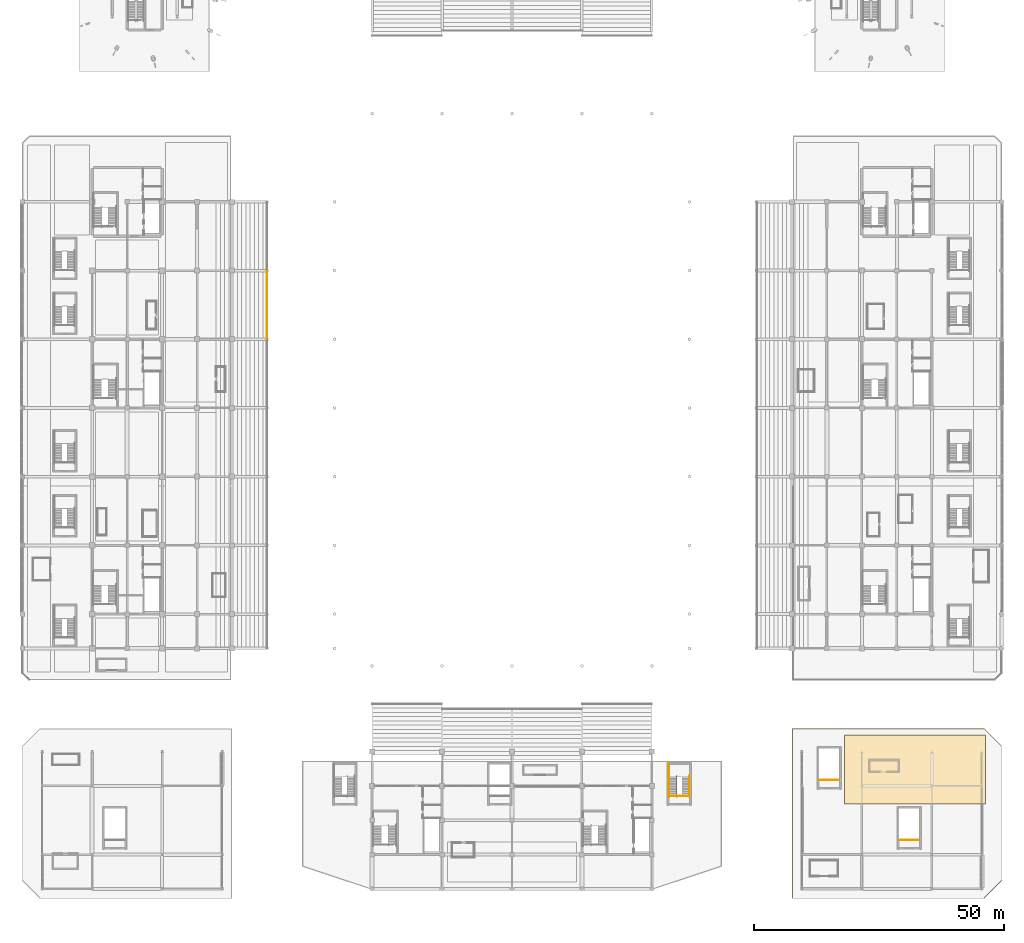
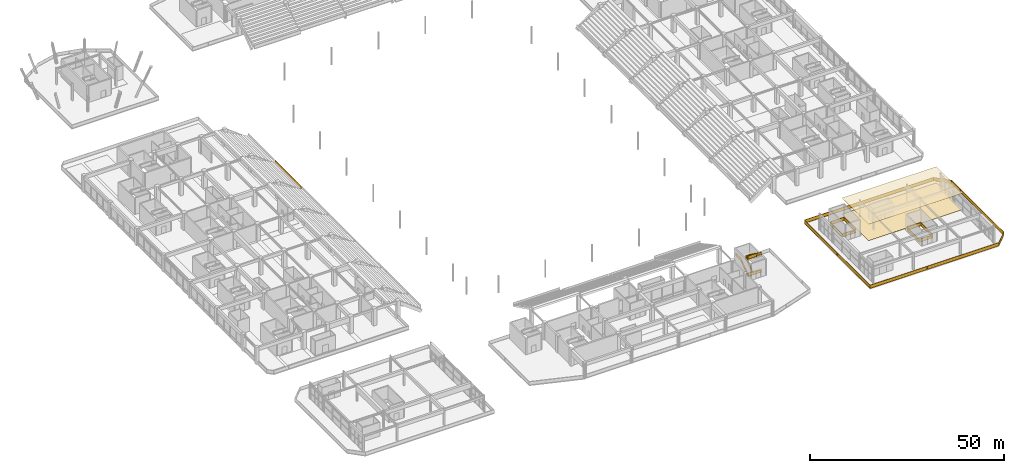
# One storey, part 109 of 117: 10 railings, 2 coverings.
"""IFC4 building model written with IfcOpenShell, lengths in metres."""

from ifc_helpers import new_model, si_unit, direction, frame, origin, origin_2d, place, context, subcontext, project, spatial, polyline, rectangle, outline, extrude, material, layer, layer_set, type_object, element, save


model = new_model("IFC4")

# Units and contexts
model_context = context("Model", 3, precision=1e-05, world=origin(), true_north=direction((0.0, 1.0)))
body_context = subcontext(model_context, "Body", "Model", "MODEL_VIEW")
ifc_project = project(units=[si_unit("LENGTHUNIT", "METRE"), si_unit("AREAUNIT", "SQUARE_METRE"), si_unit("VOLUMEUNIT", "CUBIC_METRE"), si_unit("PLANEANGLEUNIT", "RADIAN"), si_unit("MASSUNIT", "GRAM", prefix="KILO")], contexts=[model_context])

# Site, building, storey
site_placement = place(None, origin())
site = spatial("IfcSite", under=ifc_project, at=site_placement, CompositionType="ELEMENT")
building_placement = place(site_placement, origin())
building = spatial("IfcBuilding", under=site, at=building_placement, Name="Linyun Crest Stadium", CompositionType="ELEMENT")
storey_placement = place(building_placement, frame((0.0, 0.0, 6.0)))
storey = spatial("IfcBuildingStorey", under=building, at=storey_placement, Name="L02", CompositionType="ELEMENT", Elevation=6.0)

# Coverings
ifc_material_1 = material(Name="Perforated acoustic mineral-fibre ceiling")
ifc_layer_1 = layer(ifc_material_1, 0.02490234375)
ifc_layer_set_1 = layer_set([ifc_layer_1], Name="Perforated acoustic mineral-fibre ceiling")
covering_type_1 = type_object("IfcCoveringType", Name="CLG01", PredefinedType="CEILING", material=ifc_layer_set_1)
covering_1_placement = place(storey_placement, frame((0.0, 0.0, 5.125)))
element("IfcCovering", 1, at=covering_1_placement, inside=storey, type_object=covering_type_1, Name="Suspended acoustic ceiling CLG01 29", PredefinedType="CEILING", context=body_context, shape_type="SweptSolid", body=[
    extrude(outline(polyline([(66.5, -77.10009765625), (94.699951171875, -77.10009765625), (94.699951171875, -63.300048828125), (66.5, -63.300048828125), (66.5, -77.10009765625)])), origin(), (0.0, 0.0, 1.0), 0.02490234375),
])
ifc_material_2 = material(Name="Terrazzo concourse and hospitality floor finish")
ifc_layer_2 = layer(ifc_material_2, 0.02197265625)
ifc_layer_set_2 = layer_set([ifc_layer_2], Name="Terrazzo concourse and hospitality floor finish")
covering_type_2 = type_object("IfcCoveringType", Name="FLR02", PredefinedType="FLOORING", material=ifc_layer_set_2)
covering_2_placement = place(storey_placement, origin())
element("IfcCovering", 2, at=covering_2_placement, inside=storey, type_object=covering_type_2, Name="Terrazzo flooring FLR02 28", PredefinedType="FLOORING", context=body_context, shape_type="SweptSolid", body=[
    extrude(outline(polyline([(66.5, -77.10009765625), (94.699951171875, -77.10009765625), (94.699951171875, -63.300048828125), (66.5, -63.300048828125), (66.5, -77.10009765625)])), origin(), (0.0, 0.0, 1.0), 0.02197265625),
])

# Railings
ifc_material_3 = material(Name="Galvanized and powder-coated steel bowl safety barrier", Category="steel")
railing_type_1 = type_object("IfcRailingType", Name="GR02", PredefinedType="GUARDRAIL", material=ifc_material_3)
railing_1_placement = place(storey_placement, frame((-49.0, 15.955078125, 0.199951171875)))
element("IfcRailing", 3, at=railing_1_placement, inside=storey, type_object=railing_type_1, Name="Bowl front safety guard GR02 42", PredefinedType="GUARDRAIL", context=body_context, shape_type="SweptSolid", body=[
    extrude(rectangle(XDim=0.06005859375, YDim=0.06005859375, at=origin_2d()), frame((0.0, 0.0, 1.090087890625), z_axis=(0.0, 1.0, 0.0), x_axis=(-1.0, 0.0, 0.0)), (0.0, 0.0, 1.0), 13.58984375),
    extrude(rectangle(XDim=0.030029296875, YDim=1.0, at=origin_2d()), frame((0.0, 0.0, 0.56005859375), z_axis=(0.0, 1.0, 0.0), x_axis=(-1.0, 0.0, 0.0)), (0.0, 0.0, 1.0), 13.58984375),
    extrude(rectangle(XDim=0.06005859375, YDim=0.06005859375, at=origin_2d()), frame((0.0, 0.0, 0.030029296875), z_axis=(0.0, 1.0, 0.0), x_axis=(-1.0, 0.0, 0.0)), (0.0, 0.0, 1.0), 13.58984375),
    extrude(rectangle(XDim=0.050048828125, YDim=0.050048828125, at=origin_2d()), origin(), (0.0, 0.0, 1.0), 1.1201171875),
    extrude(rectangle(XDim=0.050048828125, YDim=0.050048828125, at=origin_2d()), frame((0.0, 2.264892578125, 0.0)), (0.0, 0.0, 1.0), 1.1201171875),
    extrude(rectangle(XDim=0.050048828125, YDim=0.050048828125, at=origin_2d()), frame((0.0, 4.530029296875, 0.0)), (0.0, 0.0, 1.0), 1.1201171875),
    extrude(rectangle(XDim=0.050048828125, YDim=0.050048828125, at=origin_2d()), frame((0.0, 6.794921875, 0.0)), (0.0, 0.0, 1.0), 1.1201171875),
    extrude(rectangle(XDim=0.050048828125, YDim=0.050048828125, at=origin_2d()), frame((0.0, 9.059814453125, 0.0)), (0.0, 0.0, 1.0), 1.1201171875),
    extrude(rectangle(XDim=0.050048828125, YDim=0.050048828125, at=origin_2d()), frame((0.0, 11.324951171875, 0.0)), (0.0, 0.0, 1.0), 1.1201171875),
    extrude(rectangle(XDim=0.050048828125, YDim=0.050048828125, at=origin_2d()), frame((0.0, 13.58984375, 0.0)), (0.0, 0.0, 1.0), 1.1201171875),
])
railing_2_placement = place(storey_placement, frame((31.5400390625, -75.510009765625, 0.0)))
element("IfcRailing", 4, at=railing_2_placement, inside=storey, type_object=railing_type_1, Name="Slab edge balustrade GR02 254", PredefinedType="GUARDRAIL", context=body_context, shape_type="SweptSolid", body=[
    extrude(rectangle(XDim=0.06005859375, YDim=0.06005859375, at=origin_2d()), frame((0.0, 0.0, 1.090087890625), z_axis=(1.0, 0.0, 0.0), x_axis=(0.0, 1.0, 0.0)), (0.0, 0.0, 1.0), 3.919921875),
    extrude(rectangle(XDim=0.030029296875, YDim=1.0, at=origin_2d()), frame((0.0, 0.0, 0.56005859375), z_axis=(1.0, 0.0, 0.0), x_axis=(0.0, 1.0, 0.0)), (0.0, 0.0, 1.0), 3.919921875),
    extrude(rectangle(XDim=0.06005859375, YDim=0.06005859375, at=origin_2d()), frame((0.0, 0.0, 0.030029296875), z_axis=(1.0, 0.0, 0.0), x_axis=(0.0, 1.0, 0.0)), (0.0, 0.0, 1.0), 3.919921875),
    extrude(rectangle(XDim=0.050048828125, YDim=0.050048828125, at=origin_2d()), origin(), (0.0, 0.0, 1.0), 1.1201171875),
    extrude(rectangle(XDim=0.050048828125, YDim=0.050048828125, at=origin_2d()), frame((3.919921875, 0.0, 0.0)), (0.0, 0.0, 1.0), 1.1201171875),
])
railing_3_placement = place(storey_placement, frame((56.06005859375, -95.93994140625, 0.0)))
element("IfcRailing", 5, at=railing_3_placement, inside=storey, type_object=railing_type_1, Name="Slab edge balustrade GR02 385", PredefinedType="GUARDRAIL", context=body_context, shape_type="SweptSolid", body=[
    extrude(rectangle(XDim=0.06005859375, YDim=0.06005859375, at=origin_2d()), frame((0.0, 0.0, 1.090087890625), z_axis=(0.0, 1.0, 0.0), x_axis=(-1.0, 0.0, 0.0)), (0.0, 0.0, 1.0), 33.8798828125),
    extrude(rectangle(XDim=0.030029296875, YDim=1.0, at=origin_2d()), frame((0.0, 0.0, 0.56005859375), z_axis=(0.0, 1.0, 0.0), x_axis=(-1.0, 0.0, 0.0)), (0.0, 0.0, 1.0), 33.8798828125),
    extrude(rectangle(XDim=0.06005859375, YDim=0.06005859375, at=origin_2d()), frame((0.0, 0.0, 0.030029296875), z_axis=(0.0, 1.0, 0.0), x_axis=(-1.0, 0.0, 0.0)), (0.0, 0.0, 1.0), 33.8798828125),
    extrude(rectangle(XDim=0.06005859375, YDim=0.06005859375, at=origin_2d()), frame((0.0, 33.8798828125, 1.090087890625), z_axis=(1.0, 0.0, 0.0), x_axis=(0.0, 1.0, 0.0)), (0.0, 0.0, 1.0), 38.4150390625),
    extrude(rectangle(XDim=0.030029296875, YDim=1.0, at=origin_2d()), frame((0.0, 33.8798828125, 0.56005859375), z_axis=(1.0, 0.0, 0.0), x_axis=(0.0, 1.0, 0.0)), (0.0, 0.0, 1.0), 38.4150390625),
    extrude(rectangle(XDim=0.06005859375, YDim=0.06005859375, at=origin_2d()), frame((0.0, 33.8798828125, 0.030029296875), z_axis=(1.0, 0.0, 0.0), x_axis=(0.0, 1.0, 0.0)), (0.0, 0.0, 1.0), 38.4150390625),
    extrude(rectangle(XDim=0.06005859375, YDim=0.06005859375, at=origin_2d()), frame((38.4150390625, 33.8798828125, 1.090087890625), z_axis=(0.707106781187, -0.707106781187, 0.0), x_axis=(0.707106781187, 0.707106781187, 0.0)), (0.0, 0.0, 1.0), 4.900146484375),
    extrude(rectangle(XDim=0.030029296875, YDim=1.0, at=origin_2d()), frame((38.4150390625, 33.8798828125, 0.56005859375), z_axis=(0.707106781187, -0.707106781187, 0.0), x_axis=(0.707106781187, 0.707106781187, 0.0)), (0.0, 0.0, 1.0), 4.900146484375),
    extrude(rectangle(XDim=0.06005859375, YDim=0.06005859375, at=origin_2d()), frame((38.4150390625, 33.8798828125, 0.030029296875), z_axis=(0.707106781187, -0.707106781187, 0.0), x_axis=(0.707106781187, 0.707106781187, 0.0)), (0.0, 0.0, 1.0), 4.900146484375),
    extrude(rectangle(XDim=0.06005859375, YDim=0.06005859375, at=origin_2d()), frame((41.8798828125, 30.4150390625, 1.090087890625), z_axis=(0.0, -1.0, 0.0), x_axis=(1.0, 0.0, 0.0)), (0.0, 0.0, 1.0), 26.9501953125),
    extrude(rectangle(XDim=0.030029296875, YDim=1.0, at=origin_2d()), frame((41.8798828125, 30.4150390625, 0.56005859375), z_axis=(0.0, -1.0, 0.0), x_axis=(1.0, 0.0, 0.0)), (0.0, 0.0, 1.0), 26.9501953125),
    extrude(rectangle(XDim=0.06005859375, YDim=0.06005859375, at=origin_2d()), frame((41.8798828125, 30.4150390625, 0.030029296875), z_axis=(0.0, -1.0, 0.0), x_axis=(1.0, 0.0, 0.0)), (0.0, 0.0, 1.0), 26.9501953125),
    extrude(rectangle(XDim=0.06005859375, YDim=0.06005859375, at=origin_2d()), frame((41.8798828125, 3.46484375, 1.090087890625), z_axis=(-0.707106781187, -0.707106781187, 0.0), x_axis=(0.707106781187, -0.707106781187, 0.0)), (0.0, 0.0, 1.0), 4.900146484375),
    extrude(rectangle(XDim=0.030029296875, YDim=1.0, at=origin_2d()), frame((41.8798828125, 3.46484375, 0.56005859375), z_axis=(-0.707106781187, -0.707106781187, 0.0), x_axis=(0.707106781187, -0.707106781187, 0.0)), (0.0, 0.0, 1.0), 4.900146484375),
    extrude(rectangle(XDim=0.06005859375, YDim=0.06005859375, at=origin_2d()), frame((41.8798828125, 3.46484375, 0.030029296875), z_axis=(-0.707106781187, -0.707106781187, 0.0), x_axis=(0.707106781187, -0.707106781187, 0.0)), (0.0, 0.0, 1.0), 4.900146484375),
    extrude(rectangle(XDim=0.06005859375, YDim=0.06005859375, at=origin_2d()), frame((38.4150390625, 0.0, 1.090087890625), z_axis=(-1.0, 0.0, 0.0), x_axis=(0.0, -1.0, 0.0)), (0.0, 0.0, 1.0), 38.4150390625),
    extrude(rectangle(XDim=0.030029296875, YDim=1.0, at=origin_2d()), frame((38.4150390625, 0.0, 0.56005859375), z_axis=(-1.0, 0.0, 0.0), x_axis=(0.0, -1.0, 0.0)), (0.0, 0.0, 1.0), 38.4150390625),
    extrude(rectangle(XDim=0.06005859375, YDim=0.06005859375, at=origin_2d()), frame((38.4150390625, 0.0, 0.030029296875), z_axis=(-1.0, 0.0, 0.0), x_axis=(0.0, -1.0, 0.0)), (0.0, 0.0, 1.0), 38.4150390625),
    extrude(rectangle(XDim=0.050048828125, YDim=0.050048828125, at=origin_2d()), origin(), (0.0, 0.0, 1.0), 1.1201171875),
    extrude(rectangle(XDim=0.050048828125, YDim=0.050048828125, at=origin_2d()), frame((0.0, 4.23486328125, 0.0)), (0.0, 0.0, 1.0), 1.1201171875),
    extrude(rectangle(XDim=0.050048828125, YDim=0.050048828125, at=origin_2d()), frame((0.0, 8.469970703125, 0.0)), (0.0, 0.0, 1.0), 1.1201171875),
    extrude(rectangle(XDim=0.050048828125, YDim=0.050048828125, at=origin_2d()), frame((0.0, 12.705078125, 0.0)), (0.0, 0.0, 1.0), 1.1201171875),
    extrude(rectangle(XDim=0.050048828125, YDim=0.050048828125, at=origin_2d()), frame((0.0, 16.93994140625, 0.0)), (0.0, 0.0, 1.0), 1.1201171875),
    extrude(rectangle(XDim=0.050048828125, YDim=0.050048828125, at=origin_2d()), frame((0.0, 21.1748046875, 0.0)), (0.0, 0.0, 1.0), 1.1201171875),
    extrude(rectangle(XDim=0.050048828125, YDim=0.050048828125, at=origin_2d()), frame((0.0, 25.409912109375, 0.0)), (0.0, 0.0, 1.0), 1.1201171875),
    extrude(rectangle(XDim=0.050048828125, YDim=0.050048828125, at=origin_2d()), frame((0.0, 29.64501953125, 0.0)), (0.0, 0.0, 1.0), 1.1201171875),
    extrude(rectangle(XDim=0.050048828125, YDim=0.050048828125, at=origin_2d()), frame((0.0, 33.8798828125, 0.0)), (0.0, 0.0, 1.0), 1.1201171875),
    extrude(rectangle(XDim=0.050048828125, YDim=0.050048828125, at=origin_2d()), frame((4.268310546875, 33.8798828125, 0.0)), (0.0, 0.0, 1.0), 1.1201171875),
    extrude(rectangle(XDim=0.050048828125, YDim=0.050048828125, at=origin_2d()), frame((8.53662109375, 33.8798828125, 0.0)), (0.0, 0.0, 1.0), 1.1201171875),
    extrude(rectangle(XDim=0.050048828125, YDim=0.050048828125, at=origin_2d()), frame((12.804931640625, 33.8798828125, 0.0)), (0.0, 0.0, 1.0), 1.1201171875),
    extrude(rectangle(XDim=0.050048828125, YDim=0.050048828125, at=origin_2d()), frame((17.0732421875, 33.8798828125, 0.0)), (0.0, 0.0, 1.0), 1.1201171875),
    extrude(rectangle(XDim=0.050048828125, YDim=0.050048828125, at=origin_2d()), frame((21.341796875, 33.8798828125, 0.0)), (0.0, 0.0, 1.0), 1.1201171875),
    extrude(rectangle(XDim=0.050048828125, YDim=0.050048828125, at=origin_2d()), frame((25.610107421875, 33.8798828125, 0.0)), (0.0, 0.0, 1.0), 1.1201171875),
    extrude(rectangle(XDim=0.050048828125, YDim=0.050048828125, at=origin_2d()), frame((29.87841796875, 33.8798828125, 0.0)), (0.0, 0.0, 1.0), 1.1201171875),
    extrude(rectangle(XDim=0.050048828125, YDim=0.050048828125, at=origin_2d()), frame((34.146728515625, 33.8798828125, 0.0)), (0.0, 0.0, 1.0), 1.1201171875),
    extrude(rectangle(XDim=0.050048828125, YDim=0.050048828125, at=origin_2d()), frame((38.4150390625, 33.8798828125, 0.0)), (0.0, 0.0, 1.0), 1.1201171875),
    extrude(rectangle(XDim=0.050048828125, YDim=0.050048828125, at=origin_2d()), frame((40.1474609375, 32.1474609375, 0.0)), (0.0, 0.0, 1.0), 1.1201171875),
    extrude(rectangle(XDim=0.050048828125, YDim=0.050048828125, at=origin_2d()), frame((41.8798828125, 30.4150390625, 0.0)), (0.0, 0.0, 1.0), 1.1201171875),
    extrude(rectangle(XDim=0.050048828125, YDim=0.050048828125, at=origin_2d()), frame((41.8798828125, 25.92333984375, 0.0)), (0.0, 0.0, 1.0), 1.1201171875),
    extrude(rectangle(XDim=0.050048828125, YDim=0.050048828125, at=origin_2d()), frame((41.8798828125, 21.431640625, 0.0)), (0.0, 0.0, 1.0), 1.1201171875),
    extrude(rectangle(XDim=0.050048828125, YDim=0.050048828125, at=origin_2d()), frame((41.8798828125, 16.93994140625, 0.0)), (0.0, 0.0, 1.0), 1.1201171875),
    extrude(rectangle(XDim=0.050048828125, YDim=0.050048828125, at=origin_2d()), frame((41.8798828125, 12.4482421875, 0.0)), (0.0, 0.0, 1.0), 1.1201171875),
    extrude(rectangle(XDim=0.050048828125, YDim=0.050048828125, at=origin_2d()), frame((41.8798828125, 7.95654296875, 0.0)), (0.0, 0.0, 1.0), 1.1201171875),
    extrude(rectangle(XDim=0.050048828125, YDim=0.050048828125, at=origin_2d()), frame((41.8798828125, 3.46484375, 0.0)), (0.0, 0.0, 1.0), 1.1201171875),
    extrude(rectangle(XDim=0.050048828125, YDim=0.050048828125, at=origin_2d()), frame((40.1474609375, 1.732421875, 0.0)), (0.0, 0.0, 1.0), 1.1201171875),
    extrude(rectangle(XDim=0.050048828125, YDim=0.050048828125, at=origin_2d()), frame((38.4150390625, 0.0, 0.0)), (0.0, 0.0, 1.0), 1.1201171875),
    extrude(rectangle(XDim=0.050048828125, YDim=0.050048828125, at=origin_2d()), frame((34.146728515625, 0.0, 0.0)), (0.0, 0.0, 1.0), 1.1201171875),
    extrude(rectangle(XDim=0.050048828125, YDim=0.050048828125, at=origin_2d()), frame((29.87841796875, 0.0, 0.0)), (0.0, 0.0, 1.0), 1.1201171875),
    extrude(rectangle(XDim=0.050048828125, YDim=0.050048828125, at=origin_2d()), frame((25.610107421875, 0.0, 0.0)), (0.0, 0.0, 1.0), 1.1201171875),
    extrude(rectangle(XDim=0.050048828125, YDim=0.050048828125, at=origin_2d()), frame((21.341796875, 0.0, 0.0)), (0.0, 0.0, 1.0), 1.1201171875),
    extrude(rectangle(XDim=0.050048828125, YDim=0.050048828125, at=origin_2d()), frame((17.0732421875, 0.0, 0.0)), (0.0, 0.0, 1.0), 1.1201171875),
    extrude(rectangle(XDim=0.050048828125, YDim=0.050048828125, at=origin_2d()), frame((12.804931640625, 0.0, 0.0)), (0.0, 0.0, 1.0), 1.1201171875),
    extrude(rectangle(XDim=0.050048828125, YDim=0.050048828125, at=origin_2d()), frame((8.53662109375, 0.0, 0.0)), (0.0, 0.0, 1.0), 1.1201171875),
    extrude(rectangle(XDim=0.050048828125, YDim=0.050048828125, at=origin_2d()), frame((4.268310546875, 0.0, 0.0)), (0.0, 0.0, 1.0), 1.1201171875),
])
for number, where, name in (
    (6, (77.5400390625, -84.31005859375, 0.0), "Slab edge balustrade GR02 386"),
    (7, (61.5400390625, -72.31005859375, 0.0), "Slab edge balustrade GR02 387"),
):
    element("IfcRailing", number, at=place(storey_placement, frame(where)), inside=storey, type_object=railing_type_1, Name=name, PredefinedType="GUARDRAIL", context=body_context, shape_type="SweptSolid", body=[
        extrude(rectangle(XDim=0.06005859375, YDim=0.06005859375, at=origin_2d()), frame((0.0, 0.0, 1.090087890625), z_axis=(1.0, 0.0, 0.0), x_axis=(0.0, 1.0, 0.0)), (0.0, 0.0, 1.0), 3.919921875),
        extrude(rectangle(XDim=0.030029296875, YDim=1.0, at=origin_2d()), frame((0.0, 0.0, 0.56005859375), z_axis=(1.0, 0.0, 0.0), x_axis=(0.0, 1.0, 0.0)), (0.0, 0.0, 1.0), 3.919921875),
        extrude(rectangle(XDim=0.06005859375, YDim=0.06005859375, at=origin_2d()), frame((0.0, 0.0, 0.030029296875), z_axis=(1.0, 0.0, 0.0), x_axis=(0.0, 1.0, 0.0)), (0.0, 0.0, 1.0), 3.919921875),
        extrude(rectangle(XDim=0.050048828125, YDim=0.050048828125, at=origin_2d()), origin(), (0.0, 0.0, 1.0), 1.1201171875),
        extrude(rectangle(XDim=0.050048828125, YDim=0.050048828125, at=origin_2d()), frame((3.919921875, 0.0, 0.0)), (0.0, 0.0, 1.0), 1.1201171875),
    ])
ifc_material_4 = material(Name="Painted steel stairwell safety guard", Category="steel")
railing_type_2 = type_object("IfcRailingType", Name="GR03", PredefinedType="GUARDRAIL", material=ifc_material_4)
railing_4_placement = place(storey_placement, frame((31.429931640625, -75.47998046875, 0.0)))
element("IfcRailing", 8, at=railing_4_placement, inside=storey, type_object=railing_type_2, Name="STR-29-L02 outer guard", PredefinedType="GUARDRAIL", context=body_context, shape_type="SweptSolid", body=[
    extrude(rectangle(XDim=0.06005859375, YDim=0.06005859375, at=origin_2d()), frame((0.0, 0.0, 1.090087890625), z_axis=(0.0, 0.811539352079, 0.584297766578), x_axis=(-1.0, 0.0, 0.0)), (0.0, 0.0, 1.0), 4.620849609375),
    extrude(rectangle(XDim=0.030029296875, YDim=1.0, at=origin_2d()), frame((0.0, 0.0, 0.56005859375), z_axis=(0.0, 0.811539352079, 0.584297766578), x_axis=(-1.0, 0.0, 0.0)), (0.0, 0.0, 1.0), 4.620849609375),
    extrude(rectangle(XDim=0.06005859375, YDim=0.06005859375, at=origin_2d()), frame((0.0, 0.0, 0.030029296875), z_axis=(0.0, 0.811539352079, 0.584297766578), x_axis=(-1.0, 0.0, 0.0)), (0.0, 0.0, 1.0), 4.620849609375),
    extrude(rectangle(XDim=0.06005859375, YDim=0.06005859375, at=origin_2d()), frame((0.0, 3.75, 3.7900390625), z_axis=(0.0, 1.0, 0.0), x_axis=(-1.0, 0.0, 0.0)), (0.0, 0.0, 1.0), 2.5),
    extrude(rectangle(XDim=0.030029296875, YDim=1.0, at=origin_2d()), frame((0.0, 3.75, 3.260009765625), z_axis=(0.0, 1.0, 0.0), x_axis=(-1.0, 0.0, 0.0)), (0.0, 0.0, 1.0), 2.5),
    extrude(rectangle(XDim=0.06005859375, YDim=0.06005859375, at=origin_2d()), frame((0.0, 3.75, 2.72998046875), z_axis=(0.0, 1.0, 0.0), x_axis=(-1.0, 0.0, 0.0)), (0.0, 0.0, 1.0), 2.5),
    extrude(rectangle(XDim=0.050048828125, YDim=0.050048828125, at=origin_2d()), origin(), (0.0, 0.0, 1.0), 1.1201171875),
    extrude(rectangle(XDim=0.050048828125, YDim=0.050048828125, at=origin_2d()), frame((0.0, 1.25, 0.89990234375)), (0.0, 0.0, 1.0), 1.1201171875),
    extrude(rectangle(XDim=0.050048828125, YDim=0.050048828125, at=origin_2d()), frame((0.0, 2.5, 1.800048828125)), (0.0, 0.0, 1.0), 1.1201171875),
    extrude(rectangle(XDim=0.050048828125, YDim=0.050048828125, at=origin_2d()), frame((0.0, 3.75, 2.699951171875)), (0.0, 0.0, 1.0), 1.1201171875),
    extrude(rectangle(XDim=0.050048828125, YDim=0.050048828125, at=origin_2d()), frame((0.0, 5.0, 2.699951171875)), (0.0, 0.0, 1.0), 1.1201171875),
    extrude(rectangle(XDim=0.050048828125, YDim=0.050048828125, at=origin_2d()), frame((0.0, 6.25, 2.699951171875)), (0.0, 0.0, 1.0), 1.1201171875),
])
railing_5_placement = place(storey_placement, frame((32.969970703125, -75.5, 0.0)))
element("IfcRailing", 9, at=railing_5_placement, inside=storey, type_object=railing_type_2, Name="STR-29-L02 inner well guard", PredefinedType="GUARDRAIL", context=body_context, shape_type="SweptSolid", body=[
    extrude(rectangle(XDim=0.06005859375, YDim=0.06005859375, at=origin_2d()), frame((0.0, 0.0, 1.090087890625), z_axis=(0.0, 0.813010693788, 0.582248754216), x_axis=(-1.0, 0.0, 0.0)), (0.0, 0.0, 1.0), 4.63720703125),
    extrude(rectangle(XDim=0.030029296875, YDim=1.0, at=origin_2d()), frame((0.0, 0.0, 0.56005859375), z_axis=(0.0, 0.813010693788, 0.582248754216), x_axis=(-1.0, 0.0, 0.0)), (0.0, 0.0, 1.0), 4.63720703125),
    extrude(rectangle(XDim=0.06005859375, YDim=0.06005859375, at=origin_2d()), frame((0.0, 0.0, 0.030029296875), z_axis=(0.0, 0.813010693788, 0.582248754216), x_axis=(-1.0, 0.0, 0.0)), (0.0, 0.0, 1.0), 4.63720703125),
    extrude(rectangle(XDim=0.06005859375, YDim=0.06005859375, at=origin_2d()), frame((0.0, 3.77001953125, 3.7900390625), z_axis=(1.0, 0.0, 0.0), x_axis=(0.0, 1.0, 0.0)), (0.0, 0.0, 1.0), 1.06005859375),
    extrude(rectangle(XDim=0.030029296875, YDim=1.0, at=origin_2d()), frame((0.0, 3.77001953125, 3.260009765625), z_axis=(1.0, 0.0, 0.0), x_axis=(0.0, 1.0, 0.0)), (0.0, 0.0, 1.0), 1.06005859375),
    extrude(rectangle(XDim=0.06005859375, YDim=0.06005859375, at=origin_2d()), frame((0.0, 3.77001953125, 2.72998046875), z_axis=(1.0, 0.0, 0.0), x_axis=(0.0, 1.0, 0.0)), (0.0, 0.0, 1.0), 1.06005859375),
    extrude(rectangle(XDim=0.06005859375, YDim=0.06005859375, at=origin_2d()), frame((1.06005859375, 3.77001953125, 3.7900390625), z_axis=(0.0, -0.813010693788, 0.582248754216), x_axis=(1.0, 0.0, 0.0)), (0.0, 0.0, 1.0), 4.63720703125),
    extrude(rectangle(XDim=0.030029296875, YDim=1.0, at=origin_2d()), frame((1.06005859375, 3.77001953125, 3.260009765625), z_axis=(0.0, -0.813010693788, 0.582248754216), x_axis=(1.0, 0.0, 0.0)), (0.0, 0.0, 1.0), 4.63720703125),
    extrude(rectangle(XDim=0.06005859375, YDim=0.06005859375, at=origin_2d()), frame((1.06005859375, 3.77001953125, 2.72998046875), z_axis=(0.0, -0.813010693788, 0.582248754216), x_axis=(1.0, 0.0, 0.0)), (0.0, 0.0, 1.0), 4.63720703125),
    extrude(rectangle(XDim=0.06005859375, YDim=0.06005859375, at=origin_2d()), frame((1.06005859375, 0.0, 6.489990234375), z_axis=(-1.0, 0.0, 0.0), x_axis=(0.0, -1.0, 0.0)), (0.0, 0.0, 1.0), 2.610107421875),
    extrude(rectangle(XDim=0.030029296875, YDim=1.0, at=origin_2d()), frame((1.06005859375, 0.0, 5.9599609375), z_axis=(-1.0, 0.0, 0.0), x_axis=(0.0, -1.0, 0.0)), (0.0, 0.0, 1.0), 2.610107421875),
    extrude(rectangle(XDim=0.06005859375, YDim=0.06005859375, at=origin_2d()), frame((1.06005859375, 0.0, 5.429931640625), z_axis=(-1.0, 0.0, 0.0), x_axis=(0.0, -1.0, 0.0)), (0.0, 0.0, 1.0), 2.610107421875),
    extrude(rectangle(XDim=0.050048828125, YDim=0.050048828125, at=origin_2d()), origin(), (0.0, 0.0, 1.0), 1.1201171875),
    extrude(rectangle(XDim=0.050048828125, YDim=0.050048828125, at=origin_2d()), frame((0.0, 1.256591796875, 0.89990234375)), (0.0, 0.0, 1.0), 1.1201171875),
    extrude(rectangle(XDim=0.050048828125, YDim=0.050048828125, at=origin_2d()), frame((0.0, 2.513427734375, 1.800048828125)), (0.0, 0.0, 1.0), 1.1201171875),
    extrude(rectangle(XDim=0.050048828125, YDim=0.050048828125, at=origin_2d()), frame((0.0, 3.77001953125, 2.699951171875)), (0.0, 0.0, 1.0), 1.1201171875),
    extrude(rectangle(XDim=0.050048828125, YDim=0.050048828125, at=origin_2d()), frame((1.06005859375, 3.77001953125, 2.699951171875)), (0.0, 0.0, 1.0), 1.1201171875),
    extrude(rectangle(XDim=0.050048828125, YDim=0.050048828125, at=origin_2d()), frame((1.06005859375, 2.513427734375, 3.599853515625)), (0.0, 0.0, 1.0), 1.1201171875),
    extrude(rectangle(XDim=0.050048828125, YDim=0.050048828125, at=origin_2d()), frame((1.06005859375, 1.256591796875, 4.5)), (0.0, 0.0, 1.0), 1.1201171875),
    extrude(rectangle(XDim=0.050048828125, YDim=0.050048828125, at=origin_2d()), frame((1.06005859375, 0.0, 5.39990234375)), (0.0, 0.0, 1.0), 1.1201171875),
    extrude(rectangle(XDim=0.050048828125, YDim=0.050048828125, at=origin_2d()), frame((-0.2451171875, 0.0, 5.39990234375)), (0.0, 0.0, 1.0), 1.1201171875),
    extrude(rectangle(XDim=0.050048828125, YDim=0.050048828125, at=origin_2d()), frame((-1.550048828125, 0.0, 5.39990234375)), (0.0, 0.0, 1.0), 1.1201171875),
])
railing_6_placement = place(storey_placement, frame((77.429931640625, -84.27001953125, 0.0)))
element("IfcRailing", 10, at=railing_6_placement, inside=storey, type_object=railing_type_2, Name="STR-31-L01 top well guard", PredefinedType="GUARDRAIL", context=body_context, shape_type="SweptSolid", body=[
    extrude(rectangle(XDim=0.06005859375, YDim=0.06005859375, at=origin_2d()), frame((0.0, 0.0, 1.090087890625), z_axis=(0.0, 1.0, 0.0), x_axis=(-1.0, 0.0, 0.0)), (0.0, 0.0, 1.0), 6.239990234375),
    extrude(rectangle(XDim=0.030029296875, YDim=1.0, at=origin_2d()), frame((0.0, 0.0, 0.56005859375), z_axis=(0.0, 1.0, 0.0), x_axis=(-1.0, 0.0, 0.0)), (0.0, 0.0, 1.0), 6.239990234375),
    extrude(rectangle(XDim=0.06005859375, YDim=0.06005859375, at=origin_2d()), frame((0.0, 0.0, 0.030029296875), z_axis=(0.0, 1.0, 0.0), x_axis=(-1.0, 0.0, 0.0)), (0.0, 0.0, 1.0), 6.239990234375),
    extrude(rectangle(XDim=0.06005859375, YDim=0.06005859375, at=origin_2d()), frame((0.0, 6.239990234375, 1.090087890625), z_axis=(1.0, 0.0, 0.0), x_axis=(0.0, 1.0, 0.0)), (0.0, 0.0, 1.0), 4.14013671875),
    extrude(rectangle(XDim=0.030029296875, YDim=1.0, at=origin_2d()), frame((0.0, 6.239990234375, 0.56005859375), z_axis=(1.0, 0.0, 0.0), x_axis=(0.0, 1.0, 0.0)), (0.0, 0.0, 1.0), 4.14013671875),
    extrude(rectangle(XDim=0.06005859375, YDim=0.06005859375, at=origin_2d()), frame((0.0, 6.239990234375, 0.030029296875), z_axis=(1.0, 0.0, 0.0), x_axis=(0.0, 1.0, 0.0)), (0.0, 0.0, 1.0), 4.14013671875),
    extrude(rectangle(XDim=0.06005859375, YDim=0.06005859375, at=origin_2d()), frame((4.14013671875, 6.239990234375, 1.090087890625), z_axis=(0.0, -1.0, 0.0), x_axis=(1.0, 0.0, 0.0)), (0.0, 0.0, 1.0), 6.239990234375),
    extrude(rectangle(XDim=0.030029296875, YDim=1.0, at=origin_2d()), frame((4.14013671875, 6.239990234375, 0.56005859375), z_axis=(0.0, -1.0, 0.0), x_axis=(1.0, 0.0, 0.0)), (0.0, 0.0, 1.0), 6.239990234375),
    extrude(rectangle(XDim=0.06005859375, YDim=0.06005859375, at=origin_2d()), frame((4.14013671875, 6.239990234375, 0.030029296875), z_axis=(0.0, -1.0, 0.0), x_axis=(1.0, 0.0, 0.0)), (0.0, 0.0, 1.0), 6.239990234375),
    extrude(rectangle(XDim=0.050048828125, YDim=0.050048828125, at=origin_2d()), origin(), (0.0, 0.0, 1.0), 1.1201171875),
    extrude(rectangle(XDim=0.050048828125, YDim=0.050048828125, at=origin_2d()), frame((0.0, 1.56005859375, 0.0)), (0.0, 0.0, 1.0), 1.1201171875),
    extrude(rectangle(XDim=0.050048828125, YDim=0.050048828125, at=origin_2d()), frame((0.0, 3.1201171875, 0.0)), (0.0, 0.0, 1.0), 1.1201171875),
    extrude(rectangle(XDim=0.050048828125, YDim=0.050048828125, at=origin_2d()), frame((0.0, 4.679931640625, 0.0)), (0.0, 0.0, 1.0), 1.1201171875),
    extrude(rectangle(XDim=0.050048828125, YDim=0.050048828125, at=origin_2d()), frame((0.0, 6.239990234375, 0.0)), (0.0, 0.0, 1.0), 1.1201171875),
    extrude(rectangle(XDim=0.050048828125, YDim=0.050048828125, at=origin_2d()), frame((1.380126953125, 6.239990234375, 0.0)), (0.0, 0.0, 1.0), 1.1201171875),
    extrude(rectangle(XDim=0.050048828125, YDim=0.050048828125, at=origin_2d()), frame((2.760009765625, 6.239990234375, 0.0)), (0.0, 0.0, 1.0), 1.1201171875),
    extrude(rectangle(XDim=0.050048828125, YDim=0.050048828125, at=origin_2d()), frame((4.14013671875, 6.239990234375, 0.0)), (0.0, 0.0, 1.0), 1.1201171875),
    extrude(rectangle(XDim=0.050048828125, YDim=0.050048828125, at=origin_2d()), frame((4.14013671875, 4.679931640625, 0.0)), (0.0, 0.0, 1.0), 1.1201171875),
    extrude(rectangle(XDim=0.050048828125, YDim=0.050048828125, at=origin_2d()), frame((4.14013671875, 3.1201171875, 0.0)), (0.0, 0.0, 1.0), 1.1201171875),
    extrude(rectangle(XDim=0.050048828125, YDim=0.050048828125, at=origin_2d()), frame((4.14013671875, 1.56005859375, 0.0)), (0.0, 0.0, 1.0), 1.1201171875),
    extrude(rectangle(XDim=0.050048828125, YDim=0.050048828125, at=origin_2d()), frame((4.14013671875, 0.0, 0.0)), (0.0, 0.0, 1.0), 1.1201171875),
])
railing_7_placement = place(storey_placement, frame((61.429931640625, -72.27001953125, 0.0)))
element("IfcRailing", 11, at=railing_7_placement, inside=storey, type_object=railing_type_2, Name="STR-32-L01 top well guard", PredefinedType="GUARDRAIL", context=body_context, shape_type="SweptSolid", body=[
    extrude(rectangle(XDim=0.06005859375, YDim=0.06005859375, at=origin_2d()), frame((0.0, 0.0, 1.090087890625), z_axis=(0.0, 1.0, 0.0), x_axis=(-1.0, 0.0, 0.0)), (0.0, 0.0, 1.0), 6.239990234375),
    extrude(rectangle(XDim=0.030029296875, YDim=1.0, at=origin_2d()), frame((0.0, 0.0, 0.56005859375), z_axis=(0.0, 1.0, 0.0), x_axis=(-1.0, 0.0, 0.0)), (0.0, 0.0, 1.0), 6.239990234375),
    extrude(rectangle(XDim=0.06005859375, YDim=0.06005859375, at=origin_2d()), frame((0.0, 0.0, 0.030029296875), z_axis=(0.0, 1.0, 0.0), x_axis=(-1.0, 0.0, 0.0)), (0.0, 0.0, 1.0), 6.239990234375),
    extrude(rectangle(XDim=0.06005859375, YDim=0.06005859375, at=origin_2d()), frame((0.0, 6.239990234375, 1.090087890625), z_axis=(1.0, 0.0, 0.0), x_axis=(0.0, 1.0, 0.0)), (0.0, 0.0, 1.0), 4.14013671875),
    extrude(rectangle(XDim=0.030029296875, YDim=1.0, at=origin_2d()), frame((0.0, 6.239990234375, 0.56005859375), z_axis=(1.0, 0.0, 0.0), x_axis=(0.0, 1.0, 0.0)), (0.0, 0.0, 1.0), 4.14013671875),
    extrude(rectangle(XDim=0.06005859375, YDim=0.06005859375, at=origin_2d()), frame((0.0, 6.239990234375, 0.030029296875), z_axis=(1.0, 0.0, 0.0), x_axis=(0.0, 1.0, 0.0)), (0.0, 0.0, 1.0), 4.14013671875),
    extrude(rectangle(XDim=0.06005859375, YDim=0.06005859375, at=origin_2d()), frame((4.14013671875, 6.239990234375, 1.090087890625), z_axis=(0.0, -1.0, 0.0), x_axis=(1.0, 0.0, 0.0)), (0.0, 0.0, 1.0), 6.239990234375),
    extrude(rectangle(XDim=0.030029296875, YDim=1.0, at=origin_2d()), frame((4.14013671875, 6.239990234375, 0.56005859375), z_axis=(0.0, -1.0, 0.0), x_axis=(1.0, 0.0, 0.0)), (0.0, 0.0, 1.0), 6.239990234375),
    extrude(rectangle(XDim=0.06005859375, YDim=0.06005859375, at=origin_2d()), frame((4.14013671875, 6.239990234375, 0.030029296875), z_axis=(0.0, -1.0, 0.0), x_axis=(1.0, 0.0, 0.0)), (0.0, 0.0, 1.0), 6.239990234375),
    extrude(rectangle(XDim=0.050048828125, YDim=0.050048828125, at=origin_2d()), origin(), (0.0, 0.0, 1.0), 1.1201171875),
    extrude(rectangle(XDim=0.050048828125, YDim=0.050048828125, at=origin_2d()), frame((0.0, 1.56005859375, 0.0)), (0.0, 0.0, 1.0), 1.1201171875),
    extrude(rectangle(XDim=0.050048828125, YDim=0.050048828125, at=origin_2d()), frame((0.0, 3.1201171875, 0.0)), (0.0, 0.0, 1.0), 1.1201171875),
    extrude(rectangle(XDim=0.050048828125, YDim=0.050048828125, at=origin_2d()), frame((0.0, 4.679931640625, 0.0)), (0.0, 0.0, 1.0), 1.1201171875),
    extrude(rectangle(XDim=0.050048828125, YDim=0.050048828125, at=origin_2d()), frame((0.0, 6.239990234375, 0.0)), (0.0, 0.0, 1.0), 1.1201171875),
    extrude(rectangle(XDim=0.050048828125, YDim=0.050048828125, at=origin_2d()), frame((1.380126953125, 6.239990234375, 0.0)), (0.0, 0.0, 1.0), 1.1201171875),
    extrude(rectangle(XDim=0.050048828125, YDim=0.050048828125, at=origin_2d()), frame((2.760009765625, 6.239990234375, 0.0)), (0.0, 0.0, 1.0), 1.1201171875),
    extrude(rectangle(XDim=0.050048828125, YDim=0.050048828125, at=origin_2d()), frame((4.14013671875, 6.239990234375, 0.0)), (0.0, 0.0, 1.0), 1.1201171875),
    extrude(rectangle(XDim=0.050048828125, YDim=0.050048828125, at=origin_2d()), frame((4.14013671875, 4.679931640625, 0.0)), (0.0, 0.0, 1.0), 1.1201171875),
    extrude(rectangle(XDim=0.050048828125, YDim=0.050048828125, at=origin_2d()), frame((4.14013671875, 3.1201171875, 0.0)), (0.0, 0.0, 1.0), 1.1201171875),
    extrude(rectangle(XDim=0.050048828125, YDim=0.050048828125, at=origin_2d()), frame((4.14013671875, 1.56005859375, 0.0)), (0.0, 0.0, 1.0), 1.1201171875),
    extrude(rectangle(XDim=0.050048828125, YDim=0.050048828125, at=origin_2d()), frame((4.14013671875, 0.0, 0.0)), (0.0, 0.0, 1.0), 1.1201171875),
])
ifc_material_5 = material(Name="Brushed stainless steel tubular handrail", Category="steel")
railing_type_3 = type_object("IfcRailingType", Name="HR01", PredefinedType="HANDRAIL", material=ifc_material_5)
railing_8_placement = place(storey_placement, frame((35.52001953125, -71.72998046875, 2.699951171875)))
element("IfcRailing", 12, at=railing_8_placement, inside=storey, type_object=railing_type_3, Name="STR-29-L02 handrail", PredefinedType="HANDRAIL", context=body_context, shape_type="SweptSolid", body=[
    extrude(rectangle(XDim=0.06005859375, YDim=0.06005859375, at=origin_2d()), frame((0.0, 0.0, 0.889892578125), z_axis=(0.0, -0.811539352079, 0.584297766578), x_axis=(1.0, 0.0, 0.0)), (0.0, 0.0, 1.0), 4.620849609375),
    extrude(rectangle(XDim=0.030029296875, YDim=0.7998046875, at=origin_2d()), frame((0.0, 0.0, 0.4599609375), z_axis=(0.0, -0.811539352079, 0.584297766578), x_axis=(1.0, 0.0, 0.0)), (0.0, 0.0, 1.0), 4.620849609375),
    extrude(rectangle(XDim=0.06005859375, YDim=0.06005859375, at=origin_2d()), frame((0.0, 0.0, 0.030029296875), z_axis=(0.0, -0.811539352079, 0.584297766578), x_axis=(1.0, 0.0, 0.0)), (0.0, 0.0, 1.0), 4.620849609375),
    extrude(rectangle(XDim=0.050048828125, YDim=0.050048828125, at=origin_2d()), origin(), (0.0, 0.0, 1.0), 0.919921875),
    extrude(rectangle(XDim=0.050048828125, YDim=0.050048828125, at=origin_2d()), frame((0.0, -1.25, 0.89990234375)), (0.0, 0.0, 1.0), 0.919921875),
    extrude(rectangle(XDim=0.050048828125, YDim=0.050048828125, at=origin_2d()), frame((0.0, -2.5, 1.800048828125)), (0.0, 0.0, 1.0), 0.919921875),
    extrude(rectangle(XDim=0.050048828125, YDim=0.050048828125, at=origin_2d()), frame((0.0, -3.75, 2.699951171875)), (0.0, 0.0, 1.0), 0.919921875),
])

save(model, "model.ifc")
